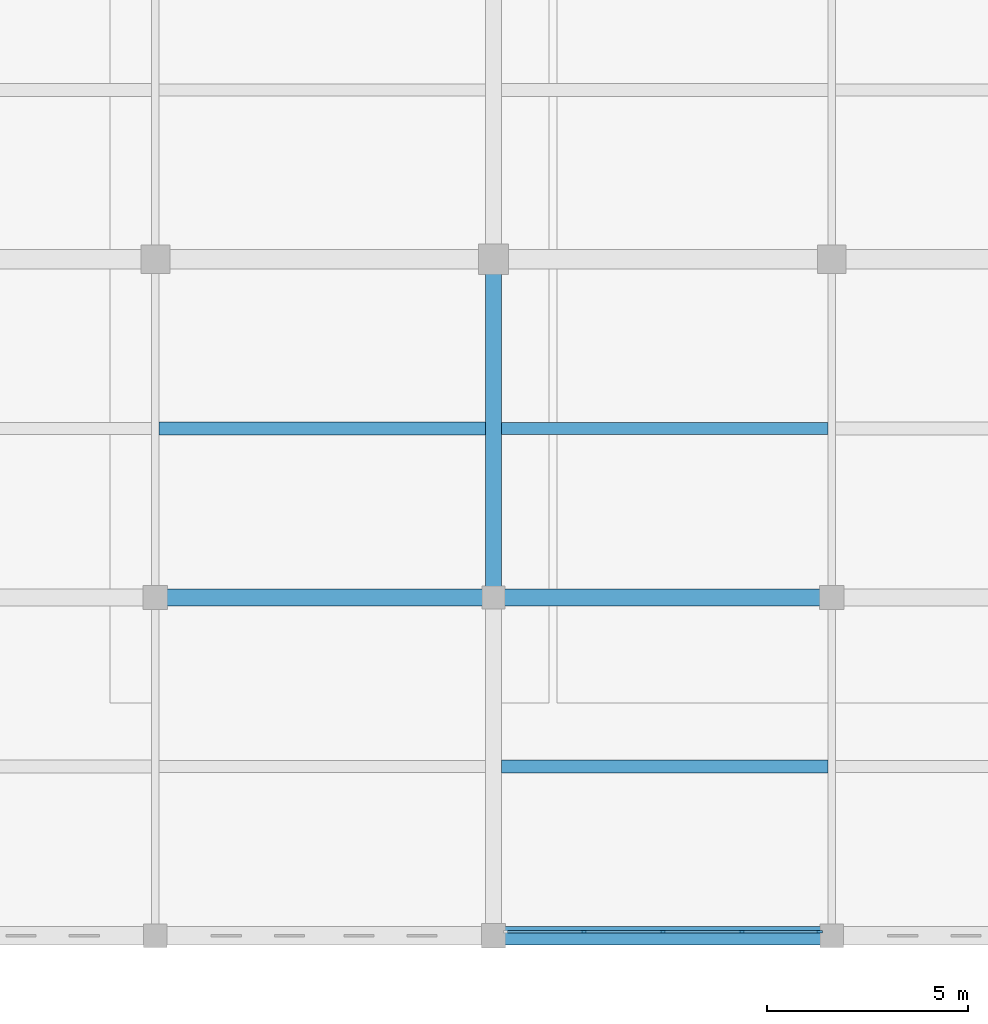
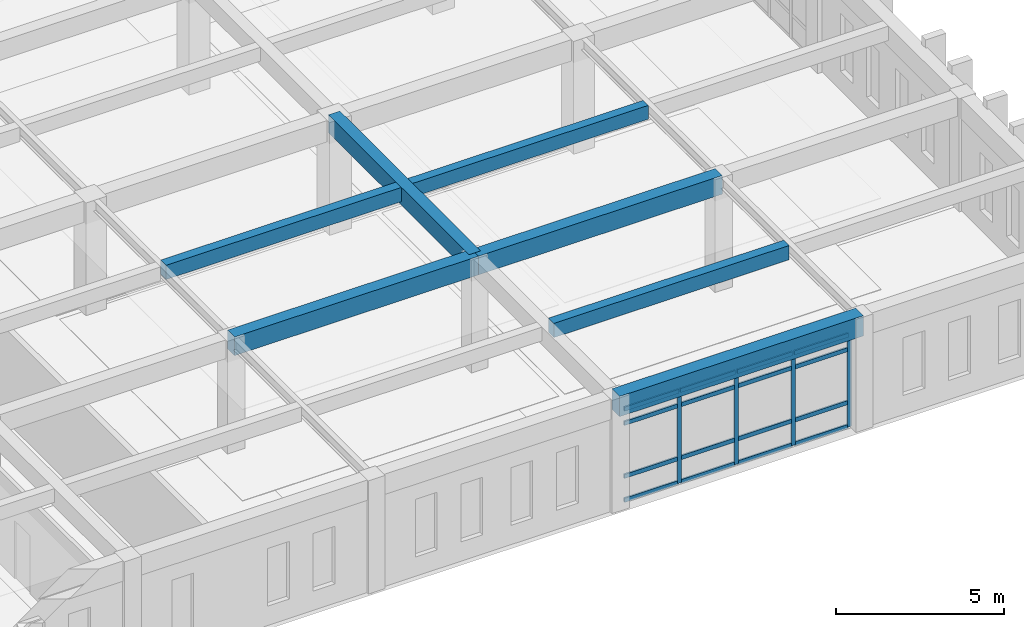
# One storey, part 101 of 192: 20 members, 7 beams, 1 element without a shape of its own.
"""IFC4 building model written with IfcOpenShell, lengths in metres."""

from ifc_helpers import new_model, si_unit, direction, frame, origin, origin_2d, place, context, subcontext, project, spatial, rectangle, extrude, material, layer, layer_set, material_profile, profile_set, type_object, element, aggregate, save


model = new_model("IFC4")

# Units and contexts
model_context = context("Model", 3, precision=1e-05, world=origin(), true_north=direction((0.0, 1.0)))
body_context = subcontext(model_context, "Body", "Model", "MODEL_VIEW")
ifc_project = project(units=[si_unit("LENGTHUNIT", "METRE"), si_unit("AREAUNIT", "SQUARE_METRE"), si_unit("VOLUMEUNIT", "CUBIC_METRE"), si_unit("PLANEANGLEUNIT", "RADIAN"), si_unit("MASSUNIT", "GRAM", prefix="KILO")], contexts=[model_context])

# Site, building, storey
site_placement = place(None, origin())
site = spatial("IfcSite", under=ifc_project, at=site_placement, CompositionType="ELEMENT")
building_placement = place(site_placement, origin())
building = spatial("IfcBuilding", under=site, at=building_placement, Name="Kveldsbrygga Polytechnic", CompositionType="ELEMENT")
storey_placement = place(building_placement, frame((0.0, 0.0, 5.43994140625)))
storey = spatial("IfcBuildingStorey", under=building, at=storey_placement, Name="L01", CompositionType="ELEMENT", Elevation=5.43994140625)

# Beams
ifc_material_1 = material(Name="Concrete C35/45", Category="concrete")
ifc_material_profile_1 = material_profile(ifc_material_1, rectangle(XDim=0.39990234375, YDim=0.64990234375, at=origin_2d()), Name="RC 400x650")
ifc_profile_set_1 = profile_set([ifc_material_profile_1], Name="Concrete C35/45")
beam_type_1 = type_object("IfcBeamType", Name="BM-RC-400x650", PredefinedType="BEAM", material=ifc_profile_set_1)
beam_1_placement = place(storey_placement, frame((151.199951171875, 8.39990234375, 3.795166015625), z_axis=(0.0, 1.0, 0.0), x_axis=(-1.0, 0.0, 0.0)))
element("IfcBeam", 1, at=beam_1_placement, inside=storey, type_object=beam_type_1, Name="Primary Beam BMY-L01-18-01to02", PredefinedType="BEAM", context=body_context, shape_type="SweptSolid", body=[
    extrude(rectangle(XDim=0.39990234375, YDim=0.64990234375, at=origin_2d()), origin(), (0.0, 0.0, 1.0), 8.400146484375),
])
ifc_material_profile_2 = material_profile(ifc_material_1, rectangle(XDim=0.419921875, YDim=0.679931640625, at=origin_2d()), Name="RC 420x680")
ifc_profile_set_2 = profile_set([ifc_material_profile_2], Name="Concrete C35/45")
beam_type_2 = type_object("IfcBeamType", Name="BM-RC-420x680", PredefinedType="BEAM", material=ifc_profile_set_2)
beam_2_placement = place(storey_placement, frame((142.800048828125, 8.39990234375, 3.780029296875), z_axis=(1.0, 0.0, 0.0), x_axis=(0.0, 1.0, 0.0)))
element("IfcBeam", 2, at=beam_2_placement, inside=storey, type_object=beam_type_2, Name="Primary Beam BMX-L01-17to18-01", PredefinedType="BEAM", context=body_context, shape_type="SweptSolid", body=[
    extrude(rectangle(XDim=0.419921875, YDim=0.679931640625, at=origin_2d()), origin(), (0.0, 0.0, 1.0), 8.39990234375),
])
beam_3_placement = place(storey_placement, frame((151.199951171875, 8.39990234375, 3.780029296875), z_axis=(1.0, 0.0, 0.0), x_axis=(0.0, 1.0, 0.0)))
element("IfcBeam", 3, at=beam_3_placement, inside=storey, type_object=beam_type_2, Name="Primary Beam BMX-L01-18to19-01", PredefinedType="BEAM", context=body_context, shape_type="SweptSolid", body=[
    extrude(rectangle(XDim=0.419921875, YDim=0.679931640625, at=origin_2d()), origin(), (0.0, 0.0, 1.0), 8.400146484375),
])
ifc_material_profile_3 = material_profile(ifc_material_1, rectangle(XDim=0.4599609375, YDim=0.739990234375, at=origin_2d()), Name="RC 460x740")
ifc_profile_set_3 = profile_set([ifc_material_profile_3], Name="Concrete C35/45")
beam_type_3 = type_object("IfcBeamType", Name="BM-RC-460x740", PredefinedType="BEAM", material=ifc_profile_set_3)
beam_4_placement = place(storey_placement, frame((151.199951171875, 0.0, 3.75), z_axis=(1.0, 0.0, 0.0), x_axis=(0.0, 1.0, 0.0)))
element("IfcBeam", 4, at=beam_4_placement, inside=storey, type_object=beam_type_3, Name="Primary Beam BMX-L01-18to19-00", PredefinedType="BEAM", context=body_context, shape_type="SweptSolid", body=[
    extrude(rectangle(XDim=0.4599609375, YDim=0.739990234375, at=origin_2d()), origin(), (0.0, 0.0, 1.0), 8.400146484375),
])

# Curtain wall, members
ifc_material_2 = material(Name="Anodised aluminium AW-6060", Category="aluminium")
ifc_layer = layer(ifc_material_2, 0.199951171875)
ifc_layer_set = layer_set([ifc_layer], Name="Anodised aluminium AW-6060")
curtain_wall_type = type_object("IfcCurtainWallType", Name="CW-LANC-E", PredefinedType="USERDEFINED", material=ifc_layer_set)
curtain_wall_placement = place(storey_placement, origin())
curtain_wall = element("IfcCurtainWall", 5, at=curtain_wall_placement, inside=storey, type_object=curtain_wall_type, Name="Curtain Wall CW-L01-X-18-00", ObjectType="UNITISED CURTAIN WALL", PredefinedType="USERDEFINED")
ifc_material_profile_4 = material_profile(ifc_material_2, rectangle(XDim=0.06005859375, YDim=0.139892578125, at=origin_2d()), Name="ALU 60x140")
ifc_profile_set_4 = profile_set([ifc_material_profile_4], Name="Anodised aluminium AW-6060")
member_type_1 = type_object("IfcMemberType", Name="CW-MUL-140", PredefinedType="MULLION", material=ifc_profile_set_4)
member_1_placement = place(storey_placement, frame((153.445068359375, 0.10009765625, 0.0), z_axis=(0.0, 0.0, 1.0), x_axis=(0.0, 1.0, 0.0)))
member_1 = element("IfcMember", 6, at=member_1_placement, type_object=member_type_1, Name="CW-05 mullion 2", PredefinedType="MULLION", context=body_context, shape_type="SweptSolid", body=[
    extrude(rectangle(XDim=0.06005859375, YDim=0.139892578125, at=origin_2d()), origin(), (0.0, 0.0, 1.0), 3.380126953125),
])
member_2_placement = place(storey_placement, frame((155.405029296875, 0.10009765625, 0.0), z_axis=(0.0, 0.0, 1.0), x_axis=(0.0, 1.0, 0.0)))
member_2 = element("IfcMember", 7, at=member_2_placement, type_object=member_type_1, Name="CW-05 mullion 3", PredefinedType="MULLION", context=body_context, shape_type="SweptSolid", body=[
    extrude(rectangle(XDim=0.06005859375, YDim=0.139892578125, at=origin_2d()), origin(), (0.0, 0.0, 1.0), 3.380126953125),
])
member_3_placement = place(storey_placement, frame((157.364990234375, 0.10009765625, 0.0), z_axis=(0.0, 0.0, 1.0), x_axis=(0.0, 1.0, 0.0)))
member_3 = element("IfcMember", 8, at=member_3_placement, type_object=member_type_1, Name="CW-05 mullion 4", PredefinedType="MULLION", context=body_context, shape_type="SweptSolid", body=[
    extrude(rectangle(XDim=0.06005859375, YDim=0.139892578125, at=origin_2d()), origin(), (0.0, 0.0, 1.0), 3.380126953125),
])
member_4_placement = place(storey_placement, frame((159.294921875, 0.10009765625, 0.0), z_axis=(0.0, 0.0, 1.0), x_axis=(0.0, 1.0, 0.0)))
member_4 = element("IfcMember", 9, at=member_4_placement, type_object=member_type_1, Name="CW-05 mullion 5", PredefinedType="MULLION", context=body_context, shape_type="SweptSolid", body=[
    extrude(rectangle(XDim=0.06005859375, YDim=0.139892578125, at=origin_2d()), origin(), (0.0, 0.0, 1.0), 3.380126953125),
])
ifc_material_profile_5 = material_profile(ifc_material_2, rectangle(XDim=0.06005859375, YDim=0.14990234375, at=origin_2d()), Name="ALU 60x150")
ifc_profile_set_5 = profile_set([ifc_material_profile_5], Name="Anodised aluminium AW-6060")
member_type_2 = type_object("IfcMemberType", Name="CW-TRN-150", PredefinedType="USERDEFINED", material=ifc_profile_set_5)
member_5_placement = place(storey_placement, frame((151.544921875, 0.10009765625, 0.030029296875), z_axis=(1.0, 0.0, 0.0), x_axis=(0.0, 1.0, 0.0)))
member_5 = element("IfcMember", 10, at=member_5_placement, type_object=member_type_2, Name="CW-05 transom 1.1", ObjectType="TRANSOM", PredefinedType="USERDEFINED", context=body_context, shape_type="SweptSolid", body=[
    extrude(rectangle(XDim=0.06005859375, YDim=0.14990234375, at=origin_2d()), origin(), (0.0, 0.0, 1.0), 1.8701171875),
])
member_6_placement = place(storey_placement, frame((151.544921875, 0.10009765625, 0.900146484375), z_axis=(1.0, 0.0, 0.0), x_axis=(0.0, 1.0, 0.0)))
member_6 = element("IfcMember", 11, at=member_6_placement, type_object=member_type_2, Name="CW-05 transom 1.2", ObjectType="TRANSOM", PredefinedType="USERDEFINED", context=body_context, shape_type="SweptSolid", body=[
    extrude(rectangle(XDim=0.06005859375, YDim=0.14990234375, at=origin_2d()), origin(), (0.0, 0.0, 1.0), 1.8701171875),
])
member_7_placement = place(storey_placement, frame((151.544921875, 0.10009765625, 2.830078125), z_axis=(1.0, 0.0, 0.0), x_axis=(0.0, 1.0, 0.0)))
member_7 = element("IfcMember", 12, at=member_7_placement, type_object=member_type_2, Name="CW-05 transom 1.3", ObjectType="TRANSOM", PredefinedType="USERDEFINED", context=body_context, shape_type="SweptSolid", body=[
    extrude(rectangle(XDim=0.06005859375, YDim=0.14990234375, at=origin_2d()), origin(), (0.0, 0.0, 1.0), 1.8701171875),
])
member_8_placement = place(storey_placement, frame((151.544921875, 0.10009765625, 3.35009765625), z_axis=(1.0, 0.0, 0.0), x_axis=(0.0, 1.0, 0.0)))
member_8 = element("IfcMember", 13, at=member_8_placement, type_object=member_type_2, Name="CW-05 transom 1.4", ObjectType="TRANSOM", PredefinedType="USERDEFINED", context=body_context, shape_type="SweptSolid", body=[
    extrude(rectangle(XDim=0.06005859375, YDim=0.14990234375, at=origin_2d()), origin(), (0.0, 0.0, 1.0), 1.8701171875),
])
member_9_placement = place(storey_placement, frame((153.47509765625, 0.10009765625, 0.030029296875), z_axis=(1.0, 0.0, 0.0), x_axis=(0.0, 1.0, 0.0)))
member_9 = element("IfcMember", 14, at=member_9_placement, type_object=member_type_2, Name="CW-05 transom 2.1", ObjectType="TRANSOM", PredefinedType="USERDEFINED", context=body_context, shape_type="SweptSolid", body=[
    extrude(rectangle(XDim=0.06005859375, YDim=0.14990234375, at=origin_2d()), origin(), (0.0, 0.0, 1.0), 1.89990234375),
])
member_10_placement = place(storey_placement, frame((153.47509765625, 0.10009765625, 0.900146484375), z_axis=(1.0, 0.0, 0.0), x_axis=(0.0, 1.0, 0.0)))
member_10 = element("IfcMember", 15, at=member_10_placement, type_object=member_type_2, Name="CW-05 transom 2.2", ObjectType="TRANSOM", PredefinedType="USERDEFINED", context=body_context, shape_type="SweptSolid", body=[
    extrude(rectangle(XDim=0.06005859375, YDim=0.14990234375, at=origin_2d()), origin(), (0.0, 0.0, 1.0), 1.89990234375),
])
member_11_placement = place(storey_placement, frame((153.47509765625, 0.10009765625, 2.830078125), z_axis=(1.0, 0.0, 0.0), x_axis=(0.0, 1.0, 0.0)))
member_11 = element("IfcMember", 16, at=member_11_placement, type_object=member_type_2, Name="CW-05 transom 2.3", ObjectType="TRANSOM", PredefinedType="USERDEFINED", context=body_context, shape_type="SweptSolid", body=[
    extrude(rectangle(XDim=0.06005859375, YDim=0.14990234375, at=origin_2d()), origin(), (0.0, 0.0, 1.0), 1.89990234375),
])
member_12_placement = place(storey_placement, frame((153.47509765625, 0.10009765625, 3.35009765625), z_axis=(1.0, 0.0, 0.0), x_axis=(0.0, 1.0, 0.0)))
member_12 = element("IfcMember", 17, at=member_12_placement, type_object=member_type_2, Name="CW-05 transom 2.4", ObjectType="TRANSOM", PredefinedType="USERDEFINED", context=body_context, shape_type="SweptSolid", body=[
    extrude(rectangle(XDim=0.06005859375, YDim=0.14990234375, at=origin_2d()), origin(), (0.0, 0.0, 1.0), 1.89990234375),
])
member_13_placement = place(storey_placement, frame((155.43505859375, 0.10009765625, 0.030029296875), z_axis=(1.0, 0.0, 0.0), x_axis=(0.0, 1.0, 0.0)))
member_13 = element("IfcMember", 18, at=member_13_placement, type_object=member_type_2, Name="CW-05 transom 3.1", ObjectType="TRANSOM", PredefinedType="USERDEFINED", context=body_context, shape_type="SweptSolid", body=[
    extrude(rectangle(XDim=0.06005859375, YDim=0.14990234375, at=origin_2d()), origin(), (0.0, 0.0, 1.0), 1.89990234375),
])
member_14_placement = place(storey_placement, frame((155.43505859375, 0.10009765625, 0.900146484375), z_axis=(1.0, 0.0, 0.0), x_axis=(0.0, 1.0, 0.0)))
member_14 = element("IfcMember", 19, at=member_14_placement, type_object=member_type_2, Name="CW-05 transom 3.2", ObjectType="TRANSOM", PredefinedType="USERDEFINED", context=body_context, shape_type="SweptSolid", body=[
    extrude(rectangle(XDim=0.06005859375, YDim=0.14990234375, at=origin_2d()), origin(), (0.0, 0.0, 1.0), 1.89990234375),
])
member_15_placement = place(storey_placement, frame((155.43505859375, 0.10009765625, 2.830078125), z_axis=(1.0, 0.0, 0.0), x_axis=(0.0, 1.0, 0.0)))
member_15 = element("IfcMember", 20, at=member_15_placement, type_object=member_type_2, Name="CW-05 transom 3.3", ObjectType="TRANSOM", PredefinedType="USERDEFINED", context=body_context, shape_type="SweptSolid", body=[
    extrude(rectangle(XDim=0.06005859375, YDim=0.14990234375, at=origin_2d()), origin(), (0.0, 0.0, 1.0), 1.89990234375),
])
member_16_placement = place(storey_placement, frame((155.43505859375, 0.10009765625, 3.35009765625), z_axis=(1.0, 0.0, 0.0), x_axis=(0.0, 1.0, 0.0)))
member_16 = element("IfcMember", 21, at=member_16_placement, type_object=member_type_2, Name="CW-05 transom 3.4", ObjectType="TRANSOM", PredefinedType="USERDEFINED", context=body_context, shape_type="SweptSolid", body=[
    extrude(rectangle(XDim=0.06005859375, YDim=0.14990234375, at=origin_2d()), origin(), (0.0, 0.0, 1.0), 1.89990234375),
])
member_17_placement = place(storey_placement, frame((157.39501953125, 0.10009765625, 0.030029296875), z_axis=(1.0, 0.0, 0.0), x_axis=(0.0, 1.0, 0.0)))
member_17 = element("IfcMember", 22, at=member_17_placement, type_object=member_type_2, Name="CW-05 transom 4.1", ObjectType="TRANSOM", PredefinedType="USERDEFINED", context=body_context, shape_type="SweptSolid", body=[
    extrude(rectangle(XDim=0.06005859375, YDim=0.14990234375, at=origin_2d()), origin(), (0.0, 0.0, 1.0), 1.869873046875),
])
member_18_placement = place(storey_placement, frame((157.39501953125, 0.10009765625, 0.900146484375), z_axis=(1.0, 0.0, 0.0), x_axis=(0.0, 1.0, 0.0)))
member_18 = element("IfcMember", 23, at=member_18_placement, type_object=member_type_2, Name="CW-05 transom 4.2", ObjectType="TRANSOM", PredefinedType="USERDEFINED", context=body_context, shape_type="SweptSolid", body=[
    extrude(rectangle(XDim=0.06005859375, YDim=0.14990234375, at=origin_2d()), origin(), (0.0, 0.0, 1.0), 1.869873046875),
])
member_19_placement = place(storey_placement, frame((157.39501953125, 0.10009765625, 2.830078125), z_axis=(1.0, 0.0, 0.0), x_axis=(0.0, 1.0, 0.0)))
member_19 = element("IfcMember", 24, at=member_19_placement, type_object=member_type_2, Name="CW-05 transom 4.3", ObjectType="TRANSOM", PredefinedType="USERDEFINED", context=body_context, shape_type="SweptSolid", body=[
    extrude(rectangle(XDim=0.06005859375, YDim=0.14990234375, at=origin_2d()), origin(), (0.0, 0.0, 1.0), 1.869873046875),
])
member_20_placement = place(storey_placement, frame((157.39501953125, 0.10009765625, 3.35009765625), z_axis=(1.0, 0.0, 0.0), x_axis=(0.0, 1.0, 0.0)))
member_20 = element("IfcMember", 25, at=member_20_placement, type_object=member_type_2, Name="CW-05 transom 4.4", ObjectType="TRANSOM", PredefinedType="USERDEFINED", context=body_context, shape_type="SweptSolid", body=[
    extrude(rectangle(XDim=0.06005859375, YDim=0.14990234375, at=origin_2d()), origin(), (0.0, 0.0, 1.0), 1.869873046875),
])
aggregate(curtain_wall, [member_1, member_2, member_3, member_4, member_5, member_6, member_7, member_8, member_9, member_10, member_11, member_12, member_13, member_14, member_15, member_16, member_17, member_18, member_19, member_20])

# Beams
ifc_material_profile_6 = material_profile(ifc_material_1, rectangle(XDim=0.300048828125, YDim=0.5, at=origin_2d()), Name="RC 300x500")
ifc_profile_set_6 = profile_set([ifc_material_profile_6], Name="Concrete C35/45")
beam_type_4 = type_object("IfcBeamType", Name="JST-RC-300x500", PredefinedType="JOIST", material=ifc_profile_set_6)
beam_5_placement = place(storey_placement, frame((151.39990234375, 12.60009765625, 3.8701171875), z_axis=(1.0, 0.0, 0.0), x_axis=(0.0, 1.0, 0.0)))
element("IfcBeam", 26, at=beam_5_placement, inside=storey, type_object=beam_type_4, Name="Secondary Joist JST-L01-18-01", PredefinedType="JOIST", context=body_context, shape_type="SweptSolid", body=[
    extrude(rectangle(XDim=0.300048828125, YDim=0.5, at=origin_2d()), origin(), (0.0, 0.0, 1.0), 8.110107421875),
])
ifc_material_profile_7 = material_profile(ifc_material_1, rectangle(XDim=0.320068359375, YDim=0.52001953125, at=origin_2d()), Name="RC 320x520")
ifc_profile_set_7 = profile_set([ifc_material_profile_7], Name="Concrete C35/45")
beam_type_5 = type_object("IfcBeamType", Name="JST-RC-320x520", PredefinedType="JOIST", material=ifc_profile_set_7)
for number, where, z_axis, x_axis, name in (
    (27, (142.889892578125, 12.60009765625, 3.860107421875), (1.0, 0.0, 0.0), (0.0, 1.0, 0.0), "Secondary Joist JST-L01-17-01"),
    (28, (151.39990234375, 4.199951171875, 3.860107421875), (1.0, 0.0, 0.0), (0.0, 1.0, 0.0), "Secondary Joist JST-L01-18-00"),
):
    element("IfcBeam", number, at=place(storey_placement, frame(where, z_axis=z_axis, x_axis=x_axis)), inside=storey, type_object=beam_type_5, Name=name, PredefinedType="JOIST", context=body_context, shape_type="SweptSolid", body=[
        extrude(rectangle(XDim=0.320068359375, YDim=0.52001953125, at=origin_2d()), origin(), (0.0, 0.0, 1.0), 8.110107421875),
    ])

save(model, "model.ifc")
